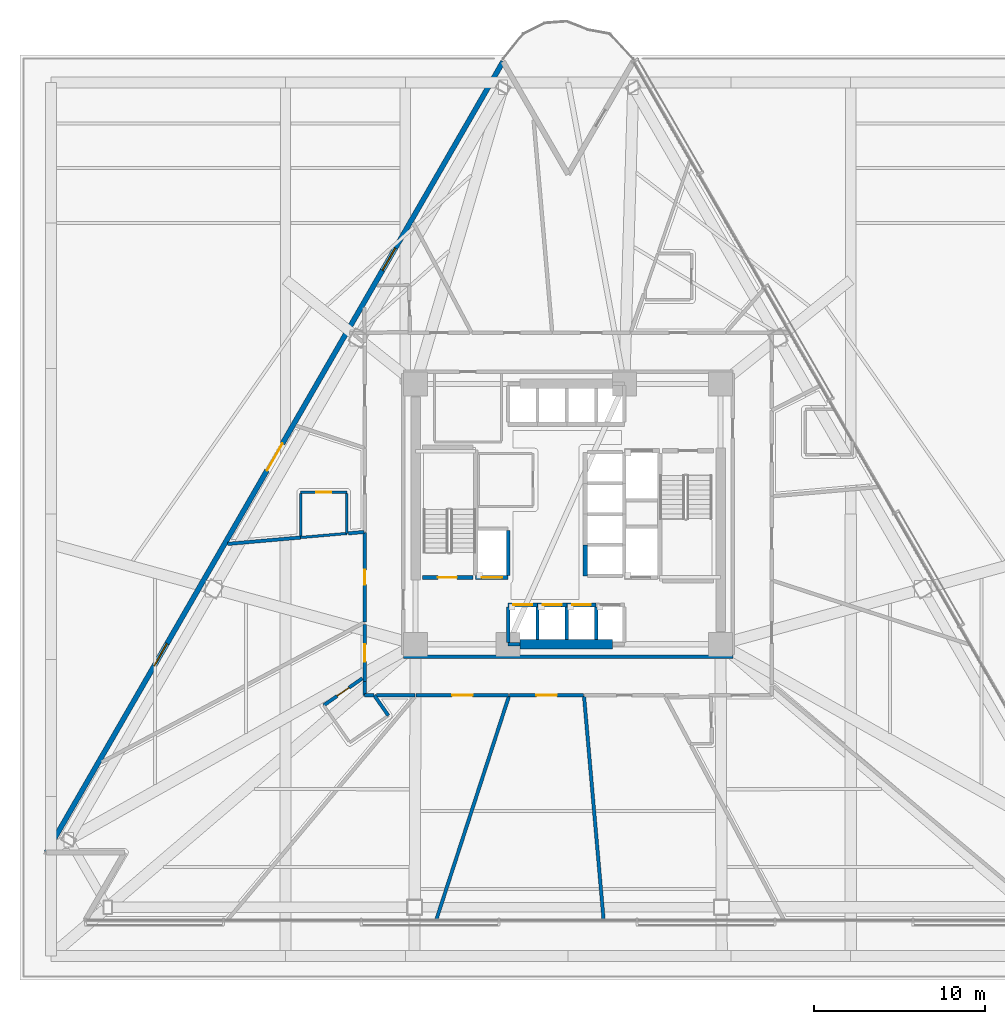
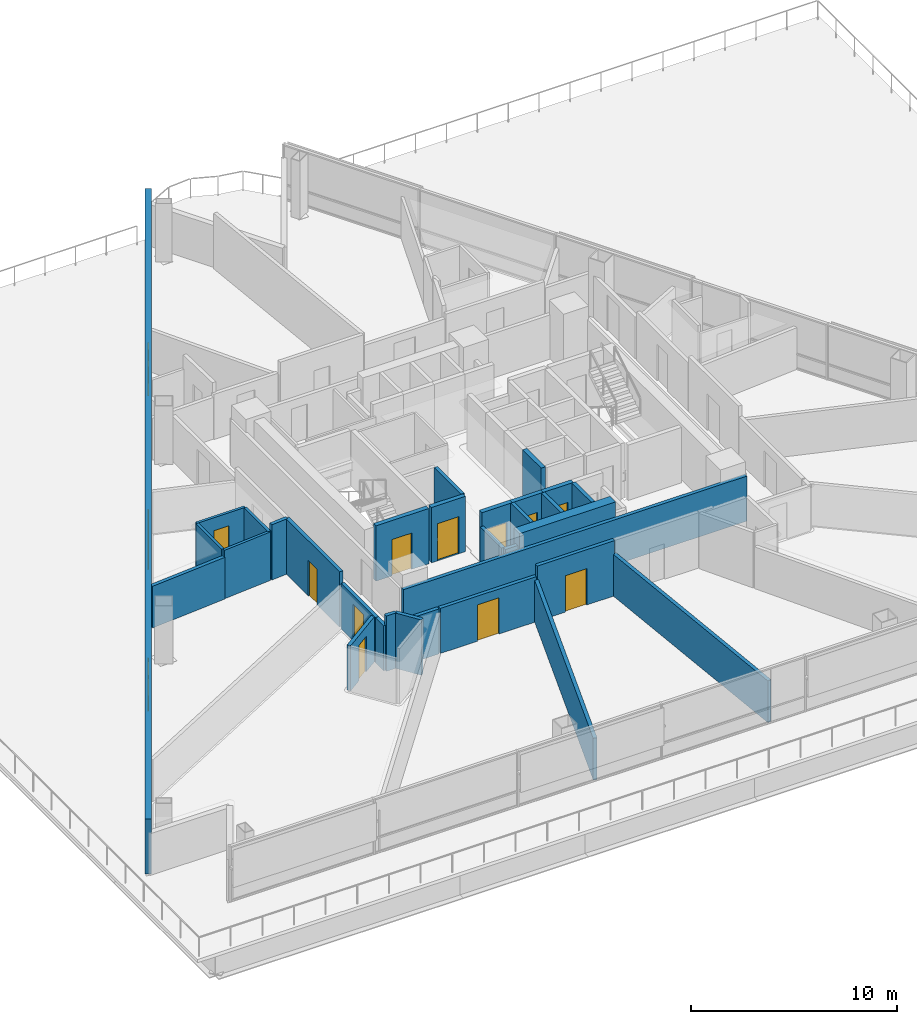
# One storey, part 9 of 19: 32 walls, 12 doors, 2 windows, 14 openings.
"""IFC4 building model written with IfcOpenShell, lengths in metres."""

import ifcopenshell
import ifcopenshell.guid

model = None  # the IFC model being written
_history = None  # IfcOwnerHistory: only IFC2X3 demands one
_inside = {}  # id of a spatial element -> (the spatial element, [elements in it])
_under = {}  # id of a project, library or spatial element -> (it, [spatial elements below it])
_declared = {}  # id of a project -> (the project, [libraries it declares])
_typed = {}  # id of a type object -> (the type object, [elements of that type])
_made_of = {}  # id of a material, layer set ... -> (it, [elements and type objects made of it])


def new_model(schema):
    """Start an empty IFC model of exactly this schema.

    Asked for "IFC4X3", IfcOpenShell would pick the latest addendum, in which some entities
    have other attributes; the version numbers below select the first issue.
    IFC2X3 requires an IfcOwnerHistory on every rooted entity: one is made here for all.
    """
    global model, _history
    if schema == "IFC4X3":
        model = ifcopenshell.file(schema_version=(4, 3, 0, 0))
    else:
        model = ifcopenshell.file(schema=schema)
    _inside.clear()
    _under.clear()
    _declared.clear()
    _typed.clear()
    _made_of.clear()
    _history = None
    if model.schema == "IFC2X3":
        org = make("IfcOrganization", Name="unknown")
        user = make(
            "IfcPersonAndOrganization",
            ThePerson=make("IfcPerson", FamilyName="unknown"),
            TheOrganization=org,
        )
        app = make(
            "IfcApplication",
            ApplicationDeveloper=org,
            Version="unknown",
            ApplicationFullName="unknown",
            ApplicationIdentifier="unknown",
        )
        _history = make(
            "IfcOwnerHistory",
            OwningUser=user,
            OwningApplication=app,
            ChangeAction="ADDED",
            CreationDate=0,
        )
    return model


def make(cls, **values):
    """One entity of the class cls with the attributes given. An attribute that is None is left unset."""
    return model.create_entity(
        cls, **{name: value for name, value in values.items() if value is not None}
    )


def rooted(cls, **values):
    """An entity with a GlobalId (a new one), such as an element, a storey or a relation."""
    return make(cls, GlobalId=ifcopenshell.guid.new(), OwnerHistory=_history, **values)


def si_unit(unit_type, name, prefix=None):
    """IfcSIUnit, for example si_unit("LENGTHUNIT", "METRE", prefix="MILLI")."""
    return make("IfcSIUnit", UnitType=unit_type, Prefix=prefix, Name=name)


def assignment(units):
    """IfcUnitAssignment: the units of a project."""
    return None if units is None else make("IfcUnitAssignment", Units=units)


def point(xyz):
    """IfcCartesianPoint."""
    return None if xyz is None else make("IfcCartesianPoint", Coordinates=xyz)


def direction(xyz):
    """IfcDirection."""
    return None if xyz is None else make("IfcDirection", DirectionRatios=xyz)


def frame(location, z_axis=None, x_axis=None):
    """IfcAxis2Placement3D, a coordinate frame: its origin and axes. An axis left out is left unset."""
    return make(
        "IfcAxis2Placement3D",
        Location=point(location),
        Axis=direction(z_axis),
        RefDirection=direction(x_axis),
    )


def frame_2d(location, x_axis=None):
    """IfcAxis2Placement2D, a coordinate frame in the plane: its origin and x axis."""
    return make(
        "IfcAxis2Placement2D", Location=point(location), RefDirection=direction(x_axis)
    )


def origin():
    """The frame at (0, 0, 0) with its axes left unset."""
    return frame((0.0, 0.0, 0.0))


def place(relative_to, where):
    """IfcLocalPlacement: puts the frame where relative to a parent placement (None: the world)."""
    return make(
        "IfcLocalPlacement", PlacementRelTo=relative_to, RelativePlacement=where
    )


def context(
    kind, dimensions, precision=None, world=None, true_north=None, identifier=None
):
    """IfcGeometricRepresentationContext, for example the 3D "Model" context."""
    return make(
        "IfcGeometricRepresentationContext",
        ContextIdentifier=identifier,
        ContextType=kind,
        CoordinateSpaceDimension=dimensions,
        Precision=precision,
        WorldCoordinateSystem=world,
        TrueNorth=true_north,
    )


def subcontext(parent, identifier, kind, view, scale=None):
    """IfcGeometricRepresentationSubContext, for example "Body" below "Model"."""
    return make(
        "IfcGeometricRepresentationSubContext",
        ContextIdentifier=identifier,
        ContextType=kind,
        ParentContext=parent,
        TargetScale=scale,
        TargetView=view,
    )


def project(units=None, contexts=None):
    """IfcProject with its units and contexts."""
    return rooted(
        "IfcProject",
        Name="project",
        RepresentationContexts=contexts,
        UnitsInContext=assignment(units),
    )


def spatial(cls, under=None, at=None, **own):
    """A site, building, storey or space (cls), placed at a placement, below another one or the project."""
    s = rooted(cls, ObjectPlacement=at, **own)
    if under is not None:
        _under.setdefault(under.id(), (under, []))[1].append(s)
    return s


def profile(cls, at=None, kind="AREA", **sizes):
    """A parametric profile (cls). Its sizes go by their IFC names, for example OverallWidth=200.0."""
    return make(cls, ProfileType=kind, Position=at, **sizes)


def rectangle(**sizes):
    """IfcRectangleProfileDef."""
    return profile("IfcRectangleProfileDef", **sizes)


def extrude(swept, where, along, depth):
    """IfcExtrudedAreaSolid: the profile swept, set in the frame where, extruded along a direction by depth."""
    return make(
        "IfcExtrudedAreaSolid",
        SweptArea=swept,
        Position=where,
        ExtrudedDirection=direction(along),
        Depth=depth,
    )


def shape(context_of_items, identifier, shape_type, items):
    """IfcShapeRepresentation: the items that make up one representation, for example the "Body"."""
    return make(
        "IfcShapeRepresentation",
        ContextOfItems=context_of_items,
        RepresentationIdentifier=identifier,
        RepresentationType=shape_type,
        Items=items,
    )


def material(Name=None, Category=None):
    """IfcMaterial."""
    return make("IfcMaterial", Name=Name, Category=Category)


def layer(
    of_material, thickness, ventilated=None, Name=None, Category=None, Priority=None
):
    """IfcMaterialLayer: one layer of a wall or slab, of a material (None: an air gap)."""
    return make(
        "IfcMaterialLayer",
        Material=of_material,
        LayerThickness=thickness,
        IsVentilated=ventilated,
        Name=Name,
        Category=Category,
        Priority=Priority,
    )


def layer_set(layers, Name=None):
    """IfcMaterialLayerSet."""
    return make("IfcMaterialLayerSet", MaterialLayers=layers, LayerSetName=Name)


def made_of(thing, what):
    """Note that an element or type object is made of a material, layer set ...; save() writes the relation."""
    if what is not None:
        _made_of.setdefault(what.id(), (what, []))[1].append(thing)
    return thing


def type_object(cls, material=None, **own):
    """A type object (cls), such as IfcWallType, which elements share."""
    return made_of(rooted(cls, **own), material)


def element(
    cls,
    number,
    at=None,
    inside=None,
    cuts=None,
    type_object=None,
    material=None,
    context=None,
    identifier="Body",
    shape_type=None,
    held_by="IfcProductDefinitionShape",
    body=None,
    shapes=None,
    **own,
):
    """One element of the class cls, such as IfcWall. Its Tag is "e" and its number.

    at: its placement. inside: the storey or other place that contains it. cuts: it is an
    opening in that element (IfcRelVoidsElement). A single representation is given by context,
    identifier, shape_type and body (its items); several are given by shapes. held_by: the class
    of the entity that holds the representations. save() writes the other relations.
    """
    e = rooted(cls, Tag="e%d" % number, ObjectPlacement=at, **own)
    if body is not None:
        shapes = [shape(context, identifier, shape_type, body)]
    if shapes is not None:
        e.Representation = make(held_by, Representations=shapes)
    if inside is not None:
        _inside.setdefault(inside.id(), (inside, []))[1].append(e)
    if cuts is not None:
        rooted(
            "IfcRelVoidsElement", RelatingBuildingElement=cuts, RelatedOpeningElement=e
        )
    if type_object is not None:
        _typed.setdefault(type_object.id(), (type_object, []))[1].append(e)
    return made_of(e, material)


def fill(opening, filler):
    """IfcRelFillsElement: the door or window that sits in an opening."""
    return rooted(
        "IfcRelFillsElement",
        RelatingOpeningElement=opening,
        RelatedBuildingElement=filler,
    )


def aggregate(whole, parts):
    """IfcRelAggregates: a whole, such as a stair, and the parts it consists of."""
    return rooted("IfcRelAggregates", RelatingObject=whole, RelatedObjects=parts)


def save(model, path):
    """Write the relations noted so far, then the file.

    IfcRelAggregates (storeys below a building ...), IfcRelContainedInSpatialStructure (elements
    in a storey), IfcRelDefinesByType, IfcRelAssociatesMaterial and IfcRelDeclares: one each for
    every whole, place, type object, material and project.
    """
    for whole, parts in _under.values():
        aggregate(whole, parts)
    for where, things in _inside.values():
        rooted(
            "IfcRelContainedInSpatialStructure",
            RelatedElements=things,
            RelatingStructure=where,
        )
    for kind, things in _typed.values():
        rooted("IfcRelDefinesByType", RelatedObjects=things, RelatingType=kind)
    for what, things in _made_of.values():
        rooted("IfcRelAssociatesMaterial", RelatedObjects=things, RelatingMaterial=what)
    for by, libraries in _declared.values():
        rooted("IfcRelDeclares", RelatingContext=by, RelatedDefinitions=libraries)
    model.write(path)


model = new_model("IFC4")

# Units and contexts
model_context = context("Model", 3, precision=1e-05, world=origin(), true_north=direction((0.0, 1.0)))
body_context = subcontext(model_context, "Body", "Model", "MODEL_VIEW")
ifc_project = project(units=[si_unit("LENGTHUNIT", "METRE"), si_unit("AREAUNIT", "SQUARE_METRE"), si_unit("VOLUMEUNIT", "CUBIC_METRE"), si_unit("PLANEANGLEUNIT", "RADIAN"), si_unit("MASSUNIT", "GRAM", prefix="KILO")], contexts=[model_context])

# Site, building, storey
site_placement = place(None, origin())
site = spatial("IfcSite", under=ifc_project, at=site_placement, CompositionType="ELEMENT")
building_placement = place(site_placement, origin())
building = spatial("IfcBuilding", under=site, at=building_placement, Name="Tharavind Bronze Gate", CompositionType="ELEMENT")
storey_placement = place(building_placement, frame((0.0, 0.0, 31.800048828125)))
storey = spatial("IfcBuildingStorey", under=building, at=storey_placement, Name="L06", CompositionType="ELEMENT", Elevation=31.800048828125)

# Wall, openings, door, windows
ifc_material_1 = material(Name="Concrete C40/50", Category="concrete")
ifc_layer_1 = layer(ifc_material_1, 0.300048828125)
ifc_layer_set_1 = layer_set([ifc_layer_1], Name="Concrete C40/50")
wall_type_1 = type_object("IfcWallType", Name="EXTERIOR SPANDREL WALL 300", PredefinedType="STANDARD", material=ifc_layer_set_1)
wall_1_placement = place(storey_placement, frame((-3.800048828125, 26.418212890625, 0.0), z_axis=(0.0, 0.0, 1.0), x_axis=(-0.499999546436, -0.86602566565, 0.0)))
wall_1 = element("IfcWall", 1, at=wall_1_placement, inside=storey, type_object=wall_type_1, Name="L06 podium sky garden portal wall", PredefinedType="STANDARD", context=body_context, shape_type="SweptSolid", body=[
    extrude(rectangle(XDim=53.3115234375, YDim=0.300048828125, at=frame_2d((26.65576171875, 0.0))), origin(), (0.0, 0.0, 1.0), 3.27490234375),
])
opening_1_placement = place(wall_1_placement, frame((25.756103515625, 0.0, 0.0)))
opening_1 = element("IfcOpeningElement", 2, at=opening_1_placement, cuts=wall_1, Name="Opening ED03", PredefinedType="OPENING", context=body_context, shape_type="SweptSolid", body=[
    extrude(rectangle(XDim=1.800048828125, YDim=2.300048828125, at=frame_2d((0.89990234375, 1.14990234375))), frame((0.0, 0.15990234375, 0.0), z_axis=(0.0, -1.0, 0.0), x_axis=(1.0, 0.0, 0.0)), (0.0, 0.0, 1.0), 0.320048828125),
])
opening_2_placement = place(wall_1_placement, frame((12.577880859375, 0.0, 0.85009765625)))
opening_2 = element("IfcOpeningElement", 3, at=opening_2_placement, cuts=wall_1, Name="Opening W04", PredefinedType="OPENING", context=body_context, shape_type="SweptSolid", body=[
    extrude(rectangle(XDim=1.5, YDim=2.10009765625, at=frame_2d((0.75, 1.050048828125))), frame((0.0, 0.15990234375, 0.0), z_axis=(0.0, -1.0, 0.0), x_axis=(1.0, 0.0, 0.0)), (0.0, 0.0, 1.0), 0.320048828125),
])
opening_3_placement = place(wall_1_placement, frame((39.23388671875, 0.0, 0.85009765625)))
opening_3 = element("IfcOpeningElement", 4, at=opening_3_placement, cuts=wall_1, Name="Opening W04", PredefinedType="OPENING", context=body_context, shape_type="SweptSolid", body=[
    extrude(rectangle(XDim=1.5, YDim=2.10009765625, at=frame_2d((0.75, 1.050048828125))), frame((0.0, 0.15990234375, 0.0), z_axis=(0.0, -1.0, 0.0), x_axis=(1.0, 0.0, 0.0)), (0.0, 0.0, 1.0), 0.320048828125),
])
ifc_material_2 = material(Name="Bronze Aluminium & Toughened Glass", Category="aluminium")
door_type_1 = type_object("IfcDoorType", Name="GLAZED TERRACE ACCESS DOOR 1800X2300", OperationType="DOUBLE_DOOR_SINGLE_SWING", PredefinedType="DOOR", material=ifc_material_2)
door_1_placement = place(opening_1_placement, frame((1.800048828125, 0.0, 0.0), z_axis=(0.0, 0.0, 1.0), x_axis=(-1.0, 0.0, 0.0)))
door_1 = element("IfcDoor", 5, at=door_1_placement, inside=storey, type_object=door_type_1, Name="L06 podium sky garden terrace access door", OperationType="DOUBLE_DOOR_SINGLE_SWING", OverallHeight=2.300048828125, OverallWidth=1.800048828125, PredefinedType="DOOR", context=body_context, shape_type="SweptSolid", body=[
    extrude(rectangle(XDim=1.800048828125, YDim=2.300048828125, at=frame_2d((0.89990234375, 1.14990234375))), frame((0.0, 0.02490234375, 0.0), z_axis=(0.0, -1.0, 0.0), x_axis=(1.0, 0.0, 0.0)), (0.0, 0.0, 1.0), 0.050048828125),
])
fill(opening_1, door_1)
ifc_material_3 = material(Name="Bronze Aluminium & Low-E Glass", Category="aluminium")
window_type = type_object("IfcWindowType", Name="HOTEL CORNER BRONZE WINDOW 1500X2100", PartitioningType="DOUBLE_PANEL_VERTICAL", PredefinedType="WINDOW", material=ifc_material_3)
window_1_placement = place(opening_2_placement, origin())
window_1 = element("IfcWindow", 6, at=window_1_placement, inside=storey, type_object=window_type, Name="L06 exterior window WL-L06-SKYG1-01", OverallHeight=2.10009765625, OverallWidth=1.5, PartitioningType="SINGLE_PANEL", PredefinedType="WINDOW", context=body_context, shape_type="SweptSolid", body=[
    extrude(rectangle(XDim=1.5, YDim=2.10009765625, at=frame_2d((0.75, 1.050048828125))), frame((0.0, 0.030029296875, 0.0), z_axis=(0.0, -1.0, 0.0), x_axis=(1.0, 0.0, 0.0)), (0.0, 0.0, 1.0), 0.06005859375),
])
fill(opening_2, window_1)
window_2_placement = place(opening_3_placement, origin())
window_2 = element("IfcWindow", 7, at=window_2_placement, inside=storey, type_object=window_type, Name="L06 exterior window WL-L06-SKYG1-03", OverallHeight=2.10009765625, OverallWidth=1.5, PartitioningType="SINGLE_PANEL", PredefinedType="WINDOW", context=body_context, shape_type="SweptSolid", body=[
    extrude(rectangle(XDim=1.5, YDim=2.10009765625, at=frame_2d((0.75, 1.050048828125))), frame((0.0, 0.030029296875, 0.0), z_axis=(0.0, -1.0, 0.0), x_axis=(1.0, 0.0, 0.0)), (0.0, 0.0, 1.0), 0.06005859375),
])
fill(opening_3, window_2)

# Walls
ifc_material_4 = material(Name="Aerated Concrete Block", Category="concrete")
ifc_layer_2 = layer(ifc_material_4, 0.199951171875)
ifc_layer_set_2 = layer_set([ifc_layer_2], Name="Aerated Concrete Block")
wall_type_2 = type_object("IfcWallType", Name="FIRE RATED PARTITION 200", PredefinedType="PARTITIONING", material=ifc_layer_set_2)
wall_2_placement = place(storey_placement, frame((-9.6201171875, -8.320068359375, 0.0), z_axis=(0.0, 0.0, 1.0), x_axis=(1.0, 0.0, 0.0)))
element("IfcWall", 8, at=wall_2_placement, inside=storey, type_object=wall_type_2, Name="L06 south core corridor wall", PredefinedType="PARTITIONING", context=body_context, shape_type="SweptSolid", body=[
    extrude(rectangle(XDim=19.240234375, YDim=0.199951171875, at=frame_2d((9.6201171875, 0.0))), origin(), (0.0, 0.0, 1.0), 2.669921875),
])
wall_3_placement = place(storey_placement, frame((-11.8798828125, -9.779541015625, 0.0), z_axis=(0.0, 0.0, 1.0), x_axis=(0.0, -1.0, 0.0)))
element("IfcWall", 9, at=wall_3_placement, inside=storey, type_object=wall_type_2, Name="L06 En-Suite Bathroom partition", PredefinedType="PARTITIONING", context=body_context, shape_type="SweptSolid", body=[
    extrude(rectangle(XDim=0.7998046875, YDim=0.199951171875, at=frame_2d((0.39990234375, 0.0))), origin(), (0.0, 0.0, 1.0), 2.669921875),
])
wall_4_placement = place(storey_placement, frame((-11.87939453125, -10.580078125, 0.0), z_axis=(0.0, 0.0, 1.0), x_axis=(1.0, 0.0, 0.0)))
element("IfcWall", 10, at=wall_4_placement, inside=storey, type_object=wall_type_2, Name="L06 En-Suite Bathroom partition", PredefinedType="PARTITIONING", context=body_context, shape_type="SweptSolid", body=[
    extrude(rectangle(XDim=0.559326171875, YDim=0.199951171875, at=frame_2d((0.27978515625, 0.0))), origin(), (0.0, 0.0, 1.0), 3.27490234375),
])
wall_5_placement = place(storey_placement, frame((-11.320068359375, -10.580078125, 0.0), z_axis=(0.0, 0.0, 1.0), x_axis=(0.573177949093, -0.819430923674, 0.0)))
element("IfcWall", 11, at=wall_5_placement, inside=storey, type_object=wall_type_2, Name="L06 En-Suite Bathroom partition", PredefinedType="PARTITIONING", context=body_context, shape_type="SweptSolid", body=[
    extrude(rectangle(XDim=1.4404296875, YDim=0.199951171875, at=frame_2d((0.72021484375, 0.0))), origin(), (0.0, 0.0, 1.0), 3.27490234375),
])

# Wall, opening, door
wall_6_placement = place(storey_placement, frame((-14.2666015625, -11.165283203125, 0.0), z_axis=(0.0, 0.0, 1.0), x_axis=(0.81944041023, 0.573164386614, 0.0)))
wall_6 = element("IfcWall", 12, at=wall_6_placement, inside=storey, type_object=wall_type_2, Name="L06 En-Suite Bathroom partition", PredefinedType="PARTITIONING", context=body_context, shape_type="SweptSolid", body=[
    extrude(rectangle(XDim=2.75, YDim=0.199951171875, at=frame_2d((1.375, 0.0))), origin(), (0.0, 0.0, 1.0), 2.669921875),
])
opening_4_placement = place(wall_6_placement, frame((0.949951171875, 0.0, 0.0)))
opening_4 = element("IfcOpeningElement", 13, at=opening_4_placement, cuts=wall_6, Name="Opening ID06", PredefinedType="OPENING", context=body_context, shape_type="SweptSolid", body=[
    extrude(rectangle(XDim=0.85009765625, YDim=2.10009765625, at=frame_2d((0.425048828125, 1.050048828125))), frame((0.0, 0.11009765625, 0.0), z_axis=(0.0, -1.0, 0.0), x_axis=(1.0, 0.0, 0.0)), (0.0, 0.0, 1.0), 0.219951171875),
])
ifc_material_5 = material(Name="Moisture-Resistant Timber", Category="wood")
door_type_2 = type_object("IfcDoorType", Name="BATHROOM PRIVACY DOOR 850X2100", OperationType="SINGLE_SWING_RIGHT", PredefinedType="DOOR", material=ifc_material_5)
door_2_placement = place(opening_4_placement, origin())
door_2 = element("IfcDoor", 14, at=door_2_placement, inside=storey, type_object=door_type_2, Name="L06 En-Suite Bathroom door", OperationType="SINGLE_SWING_RIGHT", OverallHeight=2.10009765625, OverallWidth=0.85009765625, PredefinedType="DOOR", context=body_context, shape_type="SweptSolid", body=[
    extrude(rectangle(XDim=0.85009765625, YDim=2.10009765625, at=frame_2d((0.425048828125, 1.050048828125))), frame((0.0, 0.02490234375, 0.0), z_axis=(0.0, -1.0, 0.0), x_axis=(1.0, 0.0, 0.0)), (0.0, 0.0, 1.0), 0.050048828125),
])
fill(opening_4, door_2)

# Walls
wall_7_placement = place(storey_placement, frame((-19.877685546875, -1.739013671875, 0.0), z_axis=(0.0, 0.0, 1.0), x_axis=(0.996195699475, 0.087144296122, 0.0)))
element("IfcWall", 15, at=wall_7_placement, inside=storey, type_object=wall_type_2, Name="L06 Public Restrooms Block partition", PredefinedType="PARTITIONING", context=body_context, shape_type="SweptSolid", body=[
    extrude(rectangle(XDim=4.278076171875, YDim=0.199951171875, at=frame_2d((2.13916015625, 0.0))), origin(), (0.0, 0.0, 1.0), 2.469970703125),
])
wall_8_placement = place(storey_placement, frame((-12.8359375, -1.123046875, 0.0), z_axis=(0.0, 0.0, 1.0), x_axis=(0.996190305678, 0.087205933699, 0.0)))
element("IfcWall", 16, at=wall_8_placement, inside=storey, type_object=wall_type_2, Name="L06 Public Restrooms Block partition", PredefinedType="PARTITIONING", context=body_context, shape_type="SweptSolid", body=[
    extrude(rectangle(XDim=0.932373046875, YDim=0.199951171875, at=frame_2d((0.46630859375, 0.0))), origin(), (0.0, 0.0, 1.0), 3.27490234375),
])

# Wall, opening, door
wall_9_placement = place(storey_placement, frame((-11.8798828125, -1.066650390625, 0.0), z_axis=(0.0, 0.0, 1.0), x_axis=(0.0, -1.0, 0.0)))
wall_9 = element("IfcWall", 17, at=wall_9_placement, inside=storey, type_object=wall_type_2, Name="L06 Public Restrooms Block partition", PredefinedType="PARTITIONING", context=body_context, shape_type="SweptSolid", body=[
    extrude(rectangle(XDim=5.235107421875, YDim=0.199951171875, at=frame_2d((2.61767578125, 0.0))), origin(), (0.0, 0.0, 1.0), 3.27490234375),
])
opening_5_placement = place(wall_9_placement, frame((2.193115234375, 0.0, 0.0)))
opening_5 = element("IfcOpeningElement", 18, at=opening_5_placement, cuts=wall_9, Name="Opening ID06", PredefinedType="OPENING", context=body_context, shape_type="SweptSolid", body=[
    extrude(rectangle(XDim=0.85009765625, YDim=2.10009765625, at=frame_2d((0.425048828125, 1.050048828125))), frame((0.0, 0.11009765625, 0.0), z_axis=(0.0, -1.0, 0.0), x_axis=(1.0, 0.0, 0.0)), (0.0, 0.0, 1.0), 0.219951171875),
])
door_3_placement = place(opening_5_placement, origin())
door_3 = element("IfcDoor", 19, at=door_3_placement, inside=storey, type_object=door_type_2, Name="L06 Public Restrooms Block door", OperationType="SINGLE_SWING_RIGHT", OverallHeight=2.10009765625, OverallWidth=0.85009765625, PredefinedType="DOOR", context=body_context, shape_type="SweptSolid", body=[
    extrude(rectangle(XDim=0.85009765625, YDim=2.10009765625, at=frame_2d((0.425048828125, 1.050048828125))), frame((0.0, 0.02490234375, 0.0), z_axis=(0.0, -1.0, 0.0), x_axis=(1.0, 0.0, 0.0)), (0.0, 0.0, 1.0), 0.050048828125),
])
fill(opening_5, door_3)

# Wall
wall_10_placement = place(storey_placement, frame((2.071533203125, -23.67724609375, 0.0), z_axis=(0.0, 0.0, 1.0), x_axis=(-0.087161179376, 0.996194222433, 0.0)))
element("IfcWall", 20, at=wall_10_placement, inside=storey, type_object=wall_type_2, Name="L06 Public Restrooms Block partition", PredefinedType="PARTITIONING", context=body_context, shape_type="SweptSolid", body=[
    extrude(rectangle(XDim=13.1201171875, YDim=0.199951171875, at=frame_2d((6.56005859375, 0.0))), origin(), (0.0, 0.0, 1.0), 2.469970703125),
])

# Wall, opening, door
wall_11_placement = place(storey_placement, frame((-11.8798828125, -6.435546875, 0.0), z_axis=(0.0, 0.0, 1.0), x_axis=(0.0, -1.0, 0.0)))
wall_11 = element("IfcWall", 21, at=wall_11_placement, inside=storey, type_object=wall_type_2, Name="L06 Deluxe Hotel Suite partition", PredefinedType="PARTITIONING", context=body_context, shape_type="SweptSolid", body=[
    extrude(rectangle(XDim=3.343994140625, YDim=0.199951171875, at=frame_2d((1.671875, 0.0))), origin(), (0.0, 0.0, 1.0), 2.669921875),
])
opening_6_placement = place(wall_11_placement, frame((1.172119140625, 0.0, 0.0)))
opening_6 = element("IfcOpeningElement", 22, at=opening_6_placement, cuts=wall_11, Name="Opening ID03", PredefinedType="OPENING", context=body_context, shape_type="SweptSolid", body=[
    extrude(rectangle(XDim=1.0, YDim=2.14990234375, at=frame_2d((0.5, 1.074951171875))), frame((0.0, 0.11009765625, 0.0), z_axis=(0.0, -1.0, 0.0), x_axis=(1.0, 0.0, 0.0)), (0.0, 0.0, 1.0), 0.219951171875),
])
ifc_material_6 = material(Name="Solid Timber Veneer", Category="wood")
door_type_3 = type_object("IfcDoorType", Name="HOTEL SUITE ENTRANCE DOOR 1000X2150", OperationType="SINGLE_SWING_LEFT", PredefinedType="DOOR", material=ifc_material_6)
door_4_placement = place(opening_6_placement, origin())
door_4 = element("IfcDoor", 23, at=door_4_placement, inside=storey, type_object=door_type_3, Name="L06 Deluxe Hotel Suite door", OperationType="SINGLE_SWING_LEFT", OverallHeight=2.14990234375, OverallWidth=1.0, PredefinedType="DOOR", context=body_context, shape_type="SweptSolid", body=[
    extrude(rectangle(XDim=1.0, YDim=2.14990234375, at=frame_2d((0.5, 1.074951171875))), frame((0.0, 0.02490234375, 0.0), z_axis=(0.0, -1.0, 0.0), x_axis=(1.0, 0.0, 0.0)), (0.0, 0.0, 1.0), 0.050048828125),
])
fill(opening_6, door_4)

# Wall
wall_12_placement = place(storey_placement, frame((-11.19189453125, -10.580078125, 0.0), z_axis=(0.0, 0.0, 1.0), x_axis=(1.0, 0.0, 0.0)))
element("IfcWall", 24, at=wall_12_placement, inside=storey, type_object=wall_type_2, Name="L06 Deluxe Hotel Suite partition", PredefinedType="PARTITIONING", context=body_context, shape_type="SweptSolid", body=[
    extrude(rectangle(XDim=2.260498046875, YDim=0.199951171875, at=frame_2d((1.13037109375, 0.0))), origin(), (0.0, 0.0, 1.0), 2.669921875),
])

# Wall, opening, door
wall_13_placement = place(storey_placement, frame((-8.865966796875, -10.580078125, 0.0), z_axis=(0.0, 0.0, 1.0), x_axis=(1.0, 0.0, 0.0)))
wall_13 = element("IfcWall", 25, at=wall_13_placement, inside=storey, type_object=wall_type_2, Name="L06 Hotel Guest Lounge partition", PredefinedType="PARTITIONING", context=body_context, shape_type="SweptSolid", body=[
    extrude(rectangle(XDim=5.393798828125, YDim=0.199951171875, at=frame_2d((2.69677734375, 0.0))), origin(), (0.0, 0.0, 1.0), 2.669921875),
])
opening_7_placement = place(wall_13_placement, frame((2.096923828125, 0.0, 0.0)))
opening_7 = element("IfcOpeningElement", 26, at=opening_7_placement, cuts=wall_13, Name="Opening ID05", PredefinedType="OPENING", context=body_context, shape_type="SweptSolid", body=[
    extrude(rectangle(XDim=1.199951171875, YDim=2.14990234375, at=frame_2d((0.60009765625, 1.074951171875))), frame((0.0, 0.11009765625, 0.0), z_axis=(0.0, -1.0, 0.0), x_axis=(1.0, 0.0, 0.0)), (0.0, 0.0, 1.0), 0.219951171875),
])
ifc_material_7 = material(Name="Acoustic Laminated Glass", Category="glass")
door_type_4 = type_object("IfcDoorType", Name="MEETING ROOM GLAZED DOOR 1200X2150", OperationType="SINGLE_SWING_LEFT", PredefinedType="DOOR", material=ifc_material_7)
door_5_placement = place(opening_7_placement, origin())
door_5 = element("IfcDoor", 27, at=door_5_placement, inside=storey, type_object=door_type_4, Name="L06 Hotel Guest Lounge door", OperationType="SINGLE_SWING_LEFT", OverallHeight=2.14990234375, OverallWidth=1.199951171875, PredefinedType="DOOR", context=body_context, shape_type="SweptSolid", body=[
    extrude(rectangle(XDim=1.199951171875, YDim=2.14990234375, at=frame_2d((0.60009765625, 1.074951171875))), frame((0.0, 0.02490234375, 0.0), z_axis=(0.0, -1.0, 0.0), x_axis=(1.0, 0.0, 0.0)), (0.0, 0.0, 1.0), 0.050048828125),
])
fill(opening_7, door_5)

# Wall
wall_14_placement = place(storey_placement, frame((-3.4482421875, -10.61279296875, 0.0), z_axis=(0.0, 0.0, 1.0), x_axis=(-0.309029029702, -0.951052605696, 0.0)))
element("IfcWall", 28, at=wall_14_placement, inside=storey, type_object=wall_type_2, Name="L06 Hotel Guest Lounge partition", PredefinedType="PARTITIONING", context=body_context, shape_type="SweptSolid", body=[
    extrude(rectangle(XDim=13.742431640625, YDim=0.199951171875, at=frame_2d((6.87109375, 0.0))), origin(), (0.0, 0.0, 1.0), 2.469970703125),
])

# Wall, opening, door
wall_15_placement = place(storey_placement, frame((-3.41943359375, -10.580078125, 0.0), z_axis=(0.0, 0.0, 1.0), x_axis=(1.0, 0.0, 0.0)))
wall_15 = element("IfcWall", 29, at=wall_15_placement, inside=storey, type_object=wall_type_2, Name="L06 Hotel Guest Lounge partition", PredefinedType="PARTITIONING", context=body_context, shape_type="SweptSolid", body=[
    extrude(rectangle(XDim=4.322021484375, YDim=0.199951171875, at=frame_2d((2.1611328125, 0.0))), origin(), (0.0, 0.0, 1.0), 3.27490234375),
])
opening_8_placement = place(wall_15_placement, frame((1.56103515625, 0.0, 0.0)))
opening_8 = element("IfcOpeningElement", 30, at=opening_8_placement, cuts=wall_15, Name="Opening ID05", PredefinedType="OPENING", context=body_context, shape_type="SweptSolid", body=[
    extrude(rectangle(XDim=1.199951171875, YDim=2.14990234375, at=frame_2d((0.60009765625, 1.074951171875))), frame((0.0, 0.11009765625, 0.0), z_axis=(0.0, -1.0, 0.0), x_axis=(1.0, 0.0, 0.0)), (0.0, 0.0, 1.0), 0.219951171875),
])
door_6_placement = place(opening_8_placement, origin())
door_6 = element("IfcDoor", 31, at=door_6_placement, inside=storey, type_object=door_type_4, Name="L06 Hotel Guest Lounge door", OperationType="SINGLE_SWING_LEFT", OverallHeight=2.14990234375, OverallWidth=1.199951171875, PredefinedType="DOOR", context=body_context, shape_type="SweptSolid", body=[
    extrude(rectangle(XDim=1.199951171875, YDim=2.14990234375, at=frame_2d((0.60009765625, 1.074951171875))), frame((0.0, 0.02490234375, 0.0), z_axis=(0.0, -1.0, 0.0), x_axis=(1.0, 0.0, 0.0)), (0.0, 0.0, 1.0), 0.050048828125),
])
fill(opening_8, door_6)

ifc_material_8 = material(Name="Twin Stud Acoustic Gypsum", Category="gypsum")
ifc_layer_3 = layer(ifc_material_8, 0.14990234375)
ifc_layer_set_3 = layer_set([ifc_layer_3], Name="Twin Stud Acoustic Gypsum")
wall_type_3 = type_object("IfcWallType", Name="INTERIOR PARTITION WALL 150", PredefinedType="PARTITIONING", material=ifc_layer_set_3)
wall_16_placement = place(storey_placement, frame((-15.615966796875, 1.278076171875, 0.0), z_axis=(0.0, 0.0, 1.0), x_axis=(1.0, 0.0, 0.0)))
wall_16 = element("IfcWall", 32, at=wall_16_placement, inside=storey, type_object=wall_type_3, Name="L06 En-Suite Bathroom partition", PredefinedType="PARTITIONING", context=body_context, shape_type="SweptSolid", body=[
    extrude(rectangle(XDim=2.699951171875, YDim=0.14990234375, at=frame_2d((1.35009765625, 0.0))), origin(), (0.0, 0.0, 1.0), 2.869873046875),
])
opening_9_placement = place(wall_16_placement, frame((0.925048828125, 0.0, 0.0)))
opening_9 = element("IfcOpeningElement", 33, at=opening_9_placement, cuts=wall_16, Name="Opening ID06", PredefinedType="OPENING", context=body_context, shape_type="SweptSolid", body=[
    extrude(rectangle(XDim=0.85009765625, YDim=2.10009765625, at=frame_2d((0.425048828125, 1.050048828125))), frame((0.0, 0.084951171875, 0.0), z_axis=(0.0, -1.0, 0.0), x_axis=(1.0, 0.0, 0.0)), (0.0, 0.0, 1.0), 0.16990234375),
])
door_7_placement = place(opening_9_placement, origin())
door_7 = element("IfcDoor", 34, at=door_7_placement, inside=storey, type_object=door_type_2, Name="L06 En-Suite Bathroom door", OperationType="SINGLE_SWING_RIGHT", OverallHeight=2.10009765625, OverallWidth=0.85009765625, PredefinedType="DOOR", context=body_context, shape_type="SweptSolid", body=[
    extrude(rectangle(XDim=0.85009765625, YDim=2.10009765625, at=frame_2d((0.425048828125, 1.050048828125))), frame((0.0, 0.02490234375, 0.0), z_axis=(0.0, -1.0, 0.0), x_axis=(1.0, 0.0, 0.0)), (0.0, 0.0, 1.0), 0.050048828125),
])
fill(opening_9, door_7)

# Walls
wall_17_placement = place(storey_placement, frame((-12.916015625, 1.197998046875, 0.0), z_axis=(0.0, 0.0, 1.0), x_axis=(0.0, -1.0, 0.0)))
element("IfcWall", 35, at=wall_17_placement, inside=storey, type_object=wall_type_3, Name="L06 En-Suite Bathroom partition", PredefinedType="PARTITIONING", context=body_context, shape_type="SweptSolid", body=[
    extrude(rectangle(XDim=2.327880859375, YDim=0.14990234375, at=frame_2d((1.1640625, 0.0))), origin(), (0.0, 0.0, 1.0), 2.869873046875),
])
wall_18_placement = place(storey_placement, frame((-12.916015625, -1.1298828125, 0.0), z_axis=(0.0, 0.0, 1.0), x_axis=(-0.996191077086, -0.087197121134, 0.0)))
element("IfcWall", 36, at=wall_18_placement, inside=storey, type_object=wall_type_3, Name="L06 En-Suite Bathroom partition", PredefinedType="PARTITIONING", context=body_context, shape_type="SweptSolid", body=[
    extrude(rectangle(XDim=2.710205078125, YDim=0.14990234375, at=frame_2d((1.35498046875, 0.0))), origin(), (0.0, 0.0, 1.0), 2.869873046875),
])
wall_19_placement = place(storey_placement, frame((-15.615966796875, -1.285888671875, 0.0), z_axis=(0.0, 0.0, 1.0), x_axis=(0.0, 1.0, 0.0)))
element("IfcWall", 37, at=wall_19_placement, inside=storey, type_object=wall_type_3, Name="L06 En-Suite Bathroom partition", PredefinedType="PARTITIONING", context=body_context, shape_type="SweptSolid", body=[
    extrude(rectangle(XDim=2.48388671875, YDim=0.14990234375, at=frame_2d((1.241943359375, 0.0))), origin(), (0.0, 0.0, 1.0), 2.869873046875),
])

# Wall, opening, door
ifc_material_9 = material(Name="Concrete C50/60", Category="concrete")
ifc_layer_4 = layer(ifc_material_9, 0.25)
ifc_layer_set_4 = layer_set([ifc_layer_4], Name="Concrete C50/60")
wall_type_4 = type_object("IfcWallType", Name="RC CORE SHEAR WALL 250", PredefinedType="SHEAR", material=ifc_layer_set_4)
wall_20_placement = place(storey_placement, frame((-8.5, -3.699951171875, 0.0), z_axis=(0.0, 0.0, 1.0), x_axis=(1.0, 0.0, 0.0)))
wall_20 = element("IfcWall", 38, at=wall_20_placement, inside=storey, type_object=wall_type_4, Name="L06 ST1 shaft south wall", PredefinedType="SHEAR", context=body_context, shape_type="SweptSolid", body=[
    extrude(rectangle(XDim=2.949951171875, YDim=0.25, at=frame_2d((1.47509765625, 0.0))), origin(), (0.0, 0.0, 1.0), 3.27490234375),
])
opening_10_placement = place(wall_20_placement, frame((0.89990234375, 0.0, 0.0)))
opening_10 = element("IfcOpeningElement", 39, at=opening_10_placement, cuts=wall_20, Name="Opening ID01", PredefinedType="OPENING", context=body_context, shape_type="SweptSolid", body=[
    extrude(rectangle(XDim=1.10009765625, YDim=2.14990234375, at=frame_2d((0.550048828125, 1.074951171875))), frame((0.0, 0.135, 0.0), z_axis=(0.0, -1.0, 0.0), x_axis=(1.0, 0.0, 0.0)), (0.0, 0.0, 1.0), 0.27),
])
ifc_material_10 = material(Name="Fire-Rated Steel", Category="steel")
door_type_5 = type_object("IfcDoorType", Name="STAIR CORE FIRE DOOR 1100X2150", OperationType="SINGLE_SWING_LEFT", PredefinedType="DOOR", material=ifc_material_10)
door_8_placement = place(opening_10_placement, origin())
door_8 = element("IfcDoor", 40, at=door_8_placement, inside=storey, type_object=door_type_5, Name="L06 exit stair ST1 fire door", OperationType="SINGLE_SWING_LEFT", OverallHeight=2.14990234375, OverallWidth=1.10009765625, PredefinedType="DOOR", context=body_context, shape_type="SweptSolid", body=[
    extrude(rectangle(XDim=1.10009765625, YDim=2.14990234375, at=frame_2d((0.550048828125, 1.074951171875))), frame((0.0, 0.02490234375, 0.0), z_axis=(0.0, -1.0, 0.0), x_axis=(1.0, 0.0, 0.0)), (0.0, 0.0, 1.0), 0.050048828125),
])
fill(opening_10, door_8)

wall_21_placement = place(storey_placement, frame((-3.5, -5.300048828125, 0.0), z_axis=(0.0, 0.0, 1.0), x_axis=(1.0, 0.0, 0.0)))
wall_21 = element("IfcWall", 41, at=wall_21_placement, inside=storey, type_object=wall_type_4, Name="L06 lift PL1 shaft front wall", PredefinedType="SHEAR", context=body_context, shape_type="SweptSolid", body=[
    extrude(rectangle(XDim=1.71240234375, YDim=0.25, at=frame_2d((0.856201171875, 0.0))), origin(), (0.0, 0.0, 1.0), 3.27490234375),
])
opening_11_placement = place(wall_21_placement, frame((0.305908203125, 0.0, 0.0)))
opening_11 = element("IfcOpeningElement", 42, at=opening_11_placement, cuts=wall_21, Name="Opening LD01", PredefinedType="OPENING", context=body_context, shape_type="SweptSolid", body=[
    extrude(rectangle(XDim=1.10009765625, YDim=2.199951171875, at=frame_2d((0.550048828125, 1.10009765625))), frame((0.0, 0.135, 0.0), z_axis=(0.0, -1.0, 0.0), x_axis=(1.0, 0.0, 0.0)), (0.0, 0.0, 1.0), 0.27),
])
ifc_material_11 = material(Name="Brushed Bronze Stainless Steel", Category="steel")
door_type_6 = type_object("IfcDoorType", Name="LIFT LANDING SLIDING DOOR 1100X2200", OperationType="SLIDING_TO_LEFT", PredefinedType="DOOR", material=ifc_material_11)
door_9_placement = place(opening_11_placement, origin())
door_9 = element("IfcDoor", 43, at=door_9_placement, inside=storey, type_object=door_type_6, Name="L06 lift PL1 sliding landing door", OperationType="SLIDING_TO_LEFT", OverallHeight=2.199951171875, OverallWidth=1.10009765625, PredefinedType="DOOR", context=body_context, shape_type="SweptSolid", body=[
    extrude(rectangle(XDim=1.10009765625, YDim=2.199951171875, at=frame_2d((0.550048828125, 1.10009765625))), frame((0.0, 0.02490234375, 0.0), z_axis=(0.0, -1.0, 0.0), x_axis=(1.0, 0.0, 0.0)), (0.0, 0.0, 1.0), 0.050048828125),
])
fill(opening_11, door_9)

wall_22_placement = place(storey_placement, frame((-1.78759765625, -5.300048828125, 0.0), z_axis=(0.0, 0.0, 1.0), x_axis=(1.0, 0.0, 0.0)))
wall_22 = element("IfcWall", 44, at=wall_22_placement, inside=storey, type_object=wall_type_4, Name="L06 lift PL2 shaft front wall", PredefinedType="SHEAR", context=body_context, shape_type="SweptSolid", body=[
    extrude(rectangle(XDim=1.712646484375, YDim=0.25, at=frame_2d((0.8564453125, 0.0))), origin(), (0.0, 0.0, 1.0), 3.27490234375),
])
opening_12_placement = place(wall_22_placement, frame((0.305908203125, 0.0, 0.0)))
opening_12 = element("IfcOpeningElement", 45, at=opening_12_placement, cuts=wall_22, Name="Opening LD01", PredefinedType="OPENING", context=body_context, shape_type="SweptSolid", body=[
    extrude(rectangle(XDim=1.10009765625, YDim=2.199951171875, at=frame_2d((0.550048828125, 1.10009765625))), frame((0.0, 0.135, 0.0), z_axis=(0.0, -1.0, 0.0), x_axis=(1.0, 0.0, 0.0)), (0.0, 0.0, 1.0), 0.27),
])
door_10_placement = place(opening_12_placement, origin())
door_10 = element("IfcDoor", 46, at=door_10_placement, inside=storey, type_object=door_type_6, Name="L06 lift PL2 sliding landing door", OperationType="SLIDING_TO_LEFT", OverallHeight=2.199951171875, OverallWidth=1.10009765625, PredefinedType="DOOR", context=body_context, shape_type="SweptSolid", body=[
    extrude(rectangle(XDim=1.10009765625, YDim=2.199951171875, at=frame_2d((0.550048828125, 1.10009765625))), frame((0.0, 0.02490234375, 0.0), z_axis=(0.0, -1.0, 0.0), x_axis=(1.0, 0.0, 0.0)), (0.0, 0.0, 1.0), 0.050048828125),
])
fill(opening_12, door_10)

wall_23_placement = place(storey_placement, frame((-0.074951171875, -5.300048828125, 0.0), z_axis=(0.0, 0.0, 1.0), x_axis=(1.0, 0.0, 0.0)))
wall_23 = element("IfcWall", 47, at=wall_23_placement, inside=storey, type_object=wall_type_4, Name="L06 lift PL3 shaft front wall", PredefinedType="SHEAR", context=body_context, shape_type="SweptSolid", body=[
    extrude(rectangle(XDim=1.71240234375, YDim=0.25, at=frame_2d((0.856201171875, 0.0))), origin(), (0.0, 0.0, 1.0), 3.27490234375),
])
opening_13_placement = place(wall_23_placement, frame((0.305908203125, 0.0, 0.0)))
opening_13 = element("IfcOpeningElement", 48, at=opening_13_placement, cuts=wall_23, Name="Opening LD01", PredefinedType="OPENING", context=body_context, shape_type="SweptSolid", body=[
    extrude(rectangle(XDim=1.10009765625, YDim=2.199951171875, at=frame_2d((0.550048828125, 1.10009765625))), frame((0.0, 0.135, 0.0), z_axis=(0.0, -1.0, 0.0), x_axis=(1.0, 0.0, 0.0)), (0.0, 0.0, 1.0), 0.27),
])
door_11_placement = place(opening_13_placement, origin())
door_11 = element("IfcDoor", 49, at=door_11_placement, inside=storey, type_object=door_type_6, Name="L06 lift PL3 sliding landing door", OperationType="SLIDING_TO_LEFT", OverallHeight=2.199951171875, OverallWidth=1.10009765625, PredefinedType="DOOR", context=body_context, shape_type="SweptSolid", body=[
    extrude(rectangle(XDim=1.10009765625, YDim=2.199951171875, at=frame_2d((0.550048828125, 1.10009765625))), frame((0.0, 0.02490234375, 0.0), z_axis=(0.0, -1.0, 0.0), x_axis=(1.0, 0.0, 0.0)), (0.0, 0.0, 1.0), 0.050048828125),
])
fill(opening_13, door_11)

# Wall
wall_24_placement = place(storey_placement, frame((1.0, -3.60009765625, 0.0), z_axis=(0.0, 0.0, 1.0), x_axis=(0.0, 1.0, 0.0)))
element("IfcWall", 50, at=wall_24_placement, inside=storey, type_object=wall_type_4, Name="L06 lift PL9 shaft front wall", PredefinedType="SHEAR", context=body_context, shape_type="SweptSolid", body=[
    extrude(rectangle(XDim=1.800048828125, YDim=0.25, at=frame_2d((0.89990234375, 0.0))), origin(), (0.0, 0.0, 1.0), 3.27490234375),
])

# Wall, opening, door
wall_25_placement = place(storey_placement, frame((-5.39990234375, -3.699951171875, 0.0), z_axis=(0.0, 0.0, 1.0), x_axis=(1.0, 0.0, 0.0)))
wall_25 = element("IfcWall", 51, at=wall_25_placement, inside=storey, type_object=wall_type_4, Name="L06 lift FFL1 shaft front wall", PredefinedType="SHEAR", context=body_context, shape_type="SweptSolid", body=[
    extrude(rectangle(XDim=1.89990234375, YDim=0.25, at=frame_2d((0.949951171875, 0.0))), origin(), (0.0, 0.0, 1.0), 3.27490234375),
])
opening_14_placement = place(wall_25_placement, frame((0.35009765625, 0.0, 0.0)))
opening_14 = element("IfcOpeningElement", 52, at=opening_14_placement, cuts=wall_25, Name="Opening LD02", PredefinedType="OPENING", context=body_context, shape_type="SweptSolid", body=[
    extrude(rectangle(XDim=1.199951171875, YDim=2.199951171875, at=frame_2d((0.60009765625, 1.10009765625))), frame((0.0, 0.135, 0.0), z_axis=(0.0, -1.0, 0.0), x_axis=(1.0, 0.0, 0.0)), (0.0, 0.0, 1.0), 0.27),
])
ifc_material_12 = material(Name="Brushed Stainless Steel", Category="steel")
door_type_7 = type_object("IfcDoorType", Name="FIREFIGHTING LIFT LANDING DOOR 1200X2200", OperationType="SLIDING_TO_RIGHT", PredefinedType="DOOR", material=ifc_material_12)
door_12_placement = place(opening_14_placement, origin())
door_12 = element("IfcDoor", 53, at=door_12_placement, inside=storey, type_object=door_type_7, Name="L06 lift FFL1 sliding landing door", OperationType="SLIDING_TO_RIGHT", OverallHeight=2.199951171875, OverallWidth=1.199951171875, PredefinedType="DOOR", context=body_context, shape_type="SweptSolid", body=[
    extrude(rectangle(XDim=1.199951171875, YDim=2.199951171875, at=frame_2d((0.60009765625, 1.10009765625))), frame((0.0, 0.02490234375, 0.0), z_axis=(0.0, -1.0, 0.0), x_axis=(1.0, 0.0, 0.0)), (0.0, 0.0, 1.0), 0.050048828125),
])
fill(opening_14, door_12)

# Walls
ifc_material_13 = material(Name="Concrete C60/75", Category="concrete")
ifc_layer_5 = layer(ifc_material_13, 0.550048828125)
ifc_layer_set_5 = layer_set([ifc_layer_5], Name="Concrete C60/75")
wall_type_5 = type_object("IfcWallType", Name="RC CORE SHEAR WALL 550", PredefinedType="SHEAR", material=ifc_layer_set_5)
wall_26_placement = place(storey_placement, frame((-2.800048828125, -7.60009765625, 0.0), z_axis=(0.0, 0.0, 1.0), x_axis=(1.0, 0.0, 0.0)))
element("IfcWall", 54, at=wall_26_placement, inside=storey, type_object=wall_type_5, Name="L06 south core shear wall", PredefinedType="SHEAR", context=body_context, shape_type="SweptSolid", body=[
    extrude(rectangle(XDim=5.380126953125, YDim=0.550048828125, at=frame_2d((2.68994140625, 0.0))), origin(), (0.0, 0.0, 1.0), 3.27490234375),
])
ifc_layer_6 = layer(ifc_material_1, 0.199951171875)
ifc_layer_set_6 = layer_set([ifc_layer_6], Name="Concrete C40/50")
wall_type_6 = type_object("IfcWallType", Name="SHAFT ENCLOSURE WALL 200", PredefinedType="PARTITIONING", material=ifc_layer_set_6)
wall_27_placement = place(storey_placement, frame((-3.5, -7.60009765625, 0.0), z_axis=(0.0, 0.0, 1.0), x_axis=(1.0, 0.0, 0.0)))
element("IfcWall", 55, at=wall_27_placement, inside=storey, type_object=wall_type_6, Name="L06 lift PL1 shaft S enclosure wall", PredefinedType="PARTITIONING", context=body_context, shape_type="SweptSolid", body=[
    extrude(rectangle(XDim=0.699951171875, YDim=0.199951171875, at=frame_2d((0.35009765625, 0.0))), origin(), (0.0, 0.0, 1.0), 2.469970703125),
])
wall_28_placement = place(storey_placement, frame((-3.5, -7.4951171875, 0.0), z_axis=(0.0, 0.0, 1.0), x_axis=(0.0, 1.0, 0.0)))
element("IfcWall", 56, at=wall_28_placement, inside=storey, type_object=wall_type_6, Name="L06 lift PL1 shaft W enclosure wall", PredefinedType="PARTITIONING", context=body_context, shape_type="SweptSolid", body=[
    extrude(rectangle(XDim=2.065185546875, YDim=0.199951171875, at=frame_2d((1.03271484375, 0.0))), origin(), (0.0, 0.0, 1.0), 2.469970703125),
])
for number, where, z_axis, x_axis, name in (
    (57, (-1.78759765625, -7.320068359375, 0.0), (0.0, 0.0, 1.0), (0.0, 1.0, 0.0), "L06 lift PL1 shaft E enclosure wall"),
    (58, (-0.074951171875, -7.320068359375, 0.0), (0.0, 0.0, 1.0), (0.0, 1.0, 0.0), "L06 lift PL2 shaft E enclosure wall"),
    (59, (1.637451171875, -7.320068359375, 0.0), (0.0, 0.0, 1.0), (0.0, 1.0, 0.0), "L06 lift PL3 shaft E enclosure wall"),
):
    element("IfcWall", number, at=place(storey_placement, frame(where, z_axis=z_axis, x_axis=x_axis)), inside=storey, type_object=wall_type_6, Name=name, PredefinedType="PARTITIONING", context=body_context, shape_type="SweptSolid", body=[
        extrude(rectangle(XDim=1.89013671875, YDim=0.199951171875, at=frame_2d((0.945068359375, 0.0))), origin(), (0.0, 0.0, 1.0), 3.27490234375),
    ])
wall_29_placement = place(storey_placement, frame((-3.5, -3.570068359375, 0.0), z_axis=(0.0, 0.0, 1.0), x_axis=(0.0, 1.0, 0.0)))
element("IfcWall", 60, at=wall_29_placement, inside=storey, type_object=wall_type_6, Name="L06 lift FFL1 shaft E enclosure wall", PredefinedType="PARTITIONING", context=body_context, shape_type="SweptSolid", body=[
    extrude(rectangle(XDim=2.614990234375, YDim=0.199951171875, at=frame_2d((1.3076171875, 0.0))), origin(), (0.0, 0.0, 1.0), 3.27490234375),
])

save(model, "model.ifc")
